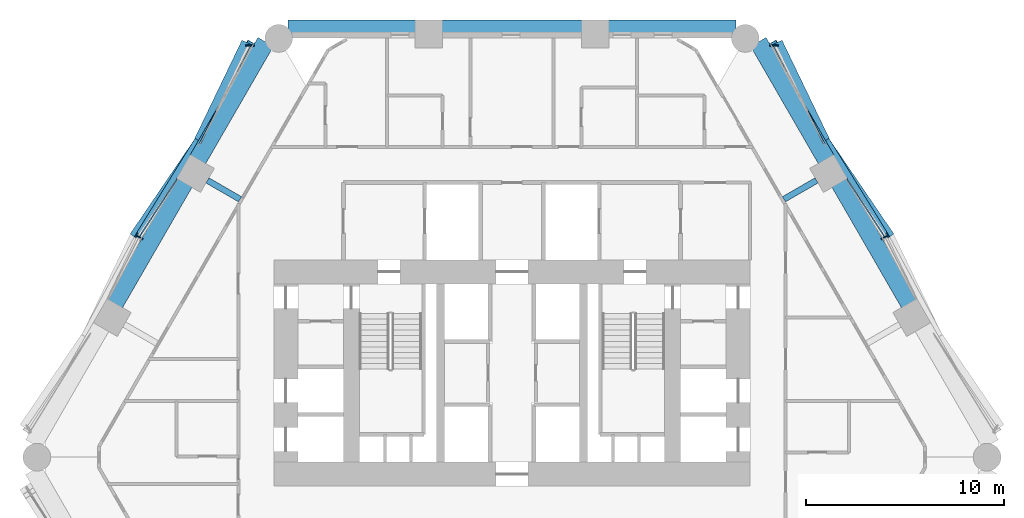
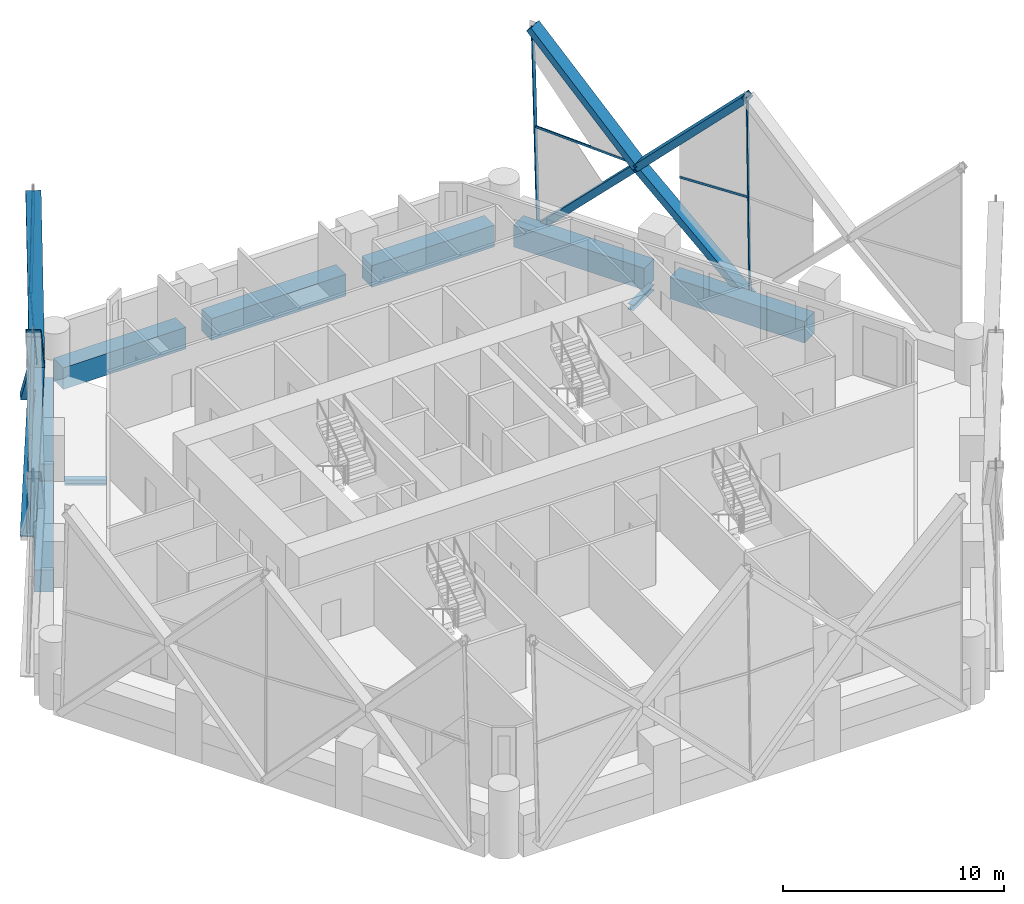
# One storey, part 8 of 22: 20 members, 9 beams, 4 elements without a shape of their own.
"""IFC4 building model written with IfcOpenShell, lengths in metres."""

from ifc_helpers import new_model, si_unit, direction, frame, origin, origin_2d, place, context, subcontext, project, spatial, rectangle, hollow_rectangle, i_section, extrude, material, material_profile, profile_set, type_object, element, aggregate, save


model = new_model("IFC4")

# Units and contexts
model_context = context("Model", 3, precision=1e-05, world=origin(), true_north=direction((0.0, 1.0)))
body_context = subcontext(model_context, "Body", "Model", "MODEL_VIEW")
ifc_project = project(units=[si_unit("LENGTHUNIT", "METRE"), si_unit("AREAUNIT", "SQUARE_METRE"), si_unit("VOLUMEUNIT", "CUBIC_METRE"), si_unit("PLANEANGLEUNIT", "RADIAN"), si_unit("MASSUNIT", "GRAM", prefix="KILO")], contexts=[model_context])

# Site, building, storey
site_placement = place(None, origin())
site = spatial("IfcSite", under=ifc_project, at=site_placement, CompositionType="ELEMENT")
building_placement = place(site_placement, origin())
building = spatial("IfcBuilding", under=site, at=building_placement, Name="Ostrander Bayou Hotel Tower", CompositionType="ELEMENT")
storey_placement = place(building_placement, frame((0.0, 0.0, 46.75)))
storey = spatial("IfcBuildingStorey", under=building, at=storey_placement, Name="L11", CompositionType="ELEMENT", Elevation=46.75)

# Curtain wall, members
ifc_material_1 = material(Name="Aluminium and clear glass", Category="aluminium")
curtain_wall_type = type_object("IfcCurtainWallType", Name="CW-LAT lattice glazing", PredefinedType="NOTDEFINED", material=ifc_material_1)
curtain_wall_1_placement = place(storey_placement, origin())
curtain_wall_1 = element("IfcCurtainWall", 1, at=curtain_wall_1_placement, inside=storey, type_object=curtain_wall_type, Name="CW-LAT L11 NW 1", PredefinedType="NOTDEFINED")
ifc_material_2 = material(Name="Aluminium", Category="aluminium")
ifc_material_profile_1 = material_profile(ifc_material_2, hollow_rectangle(XDim=0.06005859375, YDim=0.159912109375, WallThickness=0.00390625, at=origin_2d()))
ifc_profile_set_1 = profile_set([ifc_material_profile_1], Name="Aluminium")
member_type_1 = type_object("IfcMemberType", Name="CW-LA mullion 60 x 160 mm", PredefinedType="MULLION", material=ifc_profile_set_1)
member_1_placement = place(storey_placement, frame((-13.3544921875, 20.5185546875, -0.60009765625), z_axis=(0.025208999989, 0.0, 0.999682202662), x_axis=(0.0, 1.0, 0.0)))
member_1 = element("IfcMember", 2, at=member_1_placement, type_object=member_type_1, Name="CW-LAT mullion 1", PredefinedType="MULLION", context=body_context, shape_type="SweptSolid", body=[
    extrude(hollow_rectangle(XDim=0.06005859375, YDim=0.159912109375, WallThickness=0.00390625, at=origin_2d()), origin(), (0.0, 0.0, 1.0), 5.626708984375),
])
member_2_placement = place(storey_placement, frame((-13.212646484375, 20.5185546875, 5.02490234375), z_axis=(0.025165638507, 0.0, 0.999683295168), x_axis=(0.0, 1.0, 0.0)))
member_2 = element("IfcMember", 3, at=member_2_placement, type_object=member_type_1, Name="CW-LAT mullion 2", PredefinedType="MULLION", context=body_context, shape_type="SweptSolid", body=[
    extrude(hollow_rectangle(XDim=0.06005859375, YDim=0.159912109375, WallThickness=0.00390625, at=origin_2d()), origin(), (0.0, 0.0, 1.0), 5.626708984375),
])
member_3_placement = place(storey_placement, frame((-18.900634765625, 10.912353515625, -0.60009765625), z_axis=(0.018919092523, -0.010934888339, 0.99976121957), x_axis=(0.500409926597, 0.865788603161, 0.0)))
member_3 = element("IfcMember", 4, at=member_3_placement, type_object=member_type_1, Name="CW-LAT mullion 4", PredefinedType="MULLION", context=body_context, shape_type="SweptSolid", body=[
    extrude(hollow_rectangle(XDim=0.06005859375, YDim=0.159912109375, WallThickness=0.00390625, at=origin_2d()), origin(), (0.0, 0.0, 1.0), 5.62646484375),
])
member_4_placement = place(storey_placement, frame((-18.794189453125, 10.850830078125, 5.02490234375), z_axis=(0.018875724526, -0.010891510014, 0.999762512817), x_axis=(0.499779910804, 0.866152435058, 0.0)))
member_4 = element("IfcMember", 5, at=member_4_placement, type_object=member_type_1, Name="CW-LAT mullion 5", PredefinedType="MULLION", context=body_context, shape_type="SweptSolid", body=[
    extrude(hollow_rectangle(XDim=0.06005859375, YDim=0.159912109375, WallThickness=0.00390625, at=origin_2d()), origin(), (0.0, 0.0, 1.0), 5.626220703125),
])
aggregate(curtain_wall_1, [member_1, member_2, member_3, member_4])

curtain_wall_2_placement = place(storey_placement, origin())
curtain_wall_2 = element("IfcCurtainWall", 6, at=curtain_wall_2_placement, inside=storey, type_object=curtain_wall_type, Name="CW-LAT L11 NE 1", PredefinedType="NOTDEFINED")
member_5_placement = place(storey_placement, frame((18.900634765625, 10.912353515625, -0.60009765625), z_axis=(-0.018919092523, -0.010934888339, 0.99976121957), x_axis=(0.500409926597, -0.865788603161, 0.0)))
member_5 = element("IfcMember", 7, at=member_5_placement, type_object=member_type_1, Name="CW-LAT mullion 4", PredefinedType="MULLION", context=body_context, shape_type="SweptSolid", body=[
    extrude(hollow_rectangle(XDim=0.06005859375, YDim=0.159912109375, WallThickness=0.00390625, at=origin_2d()), origin(), (0.0, 0.0, 1.0), 5.62646484375),
])
member_6_placement = place(storey_placement, frame((18.794189453125, 10.850830078125, 5.02490234375), z_axis=(-0.018875724526, -0.010891510014, 0.999762512817), x_axis=(0.499779910804, -0.866152435058, 0.0)))
member_6 = element("IfcMember", 8, at=member_6_placement, type_object=member_type_1, Name="CW-LAT mullion 5", PredefinedType="MULLION", context=body_context, shape_type="SweptSolid", body=[
    extrude(hollow_rectangle(XDim=0.06005859375, YDim=0.159912109375, WallThickness=0.00390625, at=origin_2d()), origin(), (0.0, 0.0, 1.0), 5.626220703125),
])
member_7_placement = place(storey_placement, frame((13.3544921875, 20.5185546875, -0.60009765625), z_axis=(-0.025208999989, 0.0, 0.999682202662), x_axis=(0.0, -1.0, 0.0)))
member_7 = element("IfcMember", 9, at=member_7_placement, type_object=member_type_1, Name="CW-LAT mullion 8", PredefinedType="MULLION", context=body_context, shape_type="SweptSolid", body=[
    extrude(hollow_rectangle(XDim=0.06005859375, YDim=0.159912109375, WallThickness=0.00390625, at=origin_2d()), origin(), (0.0, 0.0, 1.0), 5.626708984375),
])
member_8_placement = place(storey_placement, frame((13.212646484375, 20.5185546875, 5.02490234375), z_axis=(-0.025165638507, 0.0, 0.999683295168), x_axis=(0.0, -1.0, 0.0)))
member_8 = element("IfcMember", 10, at=member_8_placement, type_object=member_type_1, Name="CW-LAT mullion 9", PredefinedType="MULLION", context=body_context, shape_type="SweptSolid", body=[
    extrude(hollow_rectangle(XDim=0.06005859375, YDim=0.159912109375, WallThickness=0.00390625, at=origin_2d()), origin(), (0.0, 0.0, 1.0), 5.626708984375),
])
aggregate(curtain_wall_2, [member_5, member_6, member_7, member_8])

curtain_wall_3_placement = place(storey_placement, origin())
curtain_wall_3 = element("IfcCurtainWall", 11, at=curtain_wall_3_placement, inside=storey, type_object=curtain_wall_type, Name="CW-LAT L11 NW 2", PredefinedType="NOTDEFINED")
ifc_material_3 = material(Name="Aluminium", Category="aluminium")
ifc_material_profile_2 = material_profile(ifc_material_3, hollow_rectangle(XDim=0.06005859375, YDim=0.1201171875, WallThickness=0.00390625, at=origin_2d()))
ifc_profile_set_2 = profile_set([ifc_material_profile_2], Name="Aluminium")
member_type_2 = type_object("IfcMemberType", Name="CW-LA transom 60 x 120 mm", PredefinedType="USERDEFINED", material=ifc_profile_set_2)
member_9_placement = place(storey_placement, frame((-13.212646484375, 20.5185546875, 5.02490234375), z_axis=(-0.454275818973, -0.890861089226, 0.0), x_axis=(0.890861089226, -0.454275818973, 0.0)))
member_9 = element("IfcMember", 12, at=member_9_placement, type_object=member_type_2, Name="CW-LAT transom 3", ObjectType="TRANSOM", PredefinedType="USERDEFINED", context=body_context, shape_type="SweptSolid", body=[
    extrude(hollow_rectangle(XDim=0.06005859375, YDim=0.1201171875, WallThickness=0.00390625, at=origin_2d()), origin(), (0.0, 0.0, 1.0), 5.58935546875),
])
member_10_placement = place(storey_placement, frame((-18.794189453125, 10.850830078125, 5.02490234375), z_axis=(0.544323783397, 0.838875210522, 0.0), x_axis=(-0.838875210522, 0.544323783397, 0.0)))
member_10 = element("IfcMember", 13, at=member_10_placement, type_object=member_type_2, Name="CW-LAT transom 6", ObjectType="TRANSOM", PredefinedType="USERDEFINED", context=body_context, shape_type="SweptSolid", body=[
    extrude(hollow_rectangle(XDim=0.06005859375, YDim=0.1201171875, WallThickness=0.00390625, at=origin_2d()), origin(), (0.0, 0.0, 1.0), 3.500244140625),
])
aggregate(curtain_wall_3, [member_9, member_10])

curtain_wall_4_placement = place(storey_placement, origin())
curtain_wall_4 = element("IfcCurtainWall", 14, at=curtain_wall_4_placement, inside=storey, type_object=curtain_wall_type, Name="CW-LAT L11 NE 2", PredefinedType="NOTDEFINED")
member_11_placement = place(storey_placement, frame((18.794189453125, 10.850830078125, 5.02490234375), z_axis=(-0.544323783397, 0.838875210522, 0.0), x_axis=(-0.838875210522, -0.544323783397, 0.0)))
member_11 = element("IfcMember", 15, at=member_11_placement, type_object=member_type_2, Name="CW-LAT transom 7", ObjectType="TRANSOM", PredefinedType="USERDEFINED", context=body_context, shape_type="SweptSolid", body=[
    extrude(hollow_rectangle(XDim=0.06005859375, YDim=0.1201171875, WallThickness=0.00390625, at=origin_2d()), origin(), (0.0, 0.0, 1.0), 3.500244140625),
])
member_12_placement = place(storey_placement, frame((13.212646484375, 20.5185546875, 5.02490234375), z_axis=(0.454275818973, -0.890861089226, 0.0), x_axis=(0.890861089226, 0.454275818973, 0.0)))
member_12 = element("IfcMember", 16, at=member_12_placement, type_object=member_type_2, Name="CW-LAT transom 10", ObjectType="TRANSOM", PredefinedType="USERDEFINED", context=body_context, shape_type="SweptSolid", body=[
    extrude(hollow_rectangle(XDim=0.06005859375, YDim=0.1201171875, WallThickness=0.00390625, at=origin_2d()), origin(), (0.0, 0.0, 1.0), 5.58935546875),
])
aggregate(curtain_wall_4, [member_11, member_12])

# Beams
ifc_material_4 = material(Name="Steel ASTM A992", Category="steel")
ifc_material_profile_3 = material_profile(ifc_material_4, i_section(OverallWidth=0.3046875, OverallDepth=0.307861328125, WebThickness=0.010009765625, FlangeThickness=0.015380859375, at=origin_2d()))
ifc_profile_set_3 = profile_set([ifc_material_profile_3], Name="Steel ASTM A992")
beam_type_1 = type_object("IfcBeamType", Name="LB1 loggia bracket W12x65", PredefinedType="BEAM", material=ifc_profile_set_3)
for number, where, z_axis, x_axis, name in (
    (17, (-15.356689453125, 13.710693359375, -0.453857421875), (0.865988727248, -0.500063520245, 0.0), (0.500063520245, 0.865988727248, 0.0), "LB1 L11 NW1"),
    (18, (15.356689453125, 13.710693359375, -0.453857421875), (-0.865988727248, -0.500063520245, 0.0), (0.500063520245, -0.865988727248, 0.0), "LB1 L11 NE2"),
):
    element("IfcBeam", number, at=place(storey_placement, frame(where, z_axis=z_axis, x_axis=x_axis)), inside=storey, type_object=beam_type_1, Name=name, PredefinedType="BEAM", context=body_context, shape_type="SweptSolid", body=[
        extrude(i_section(OverallWidth=0.3046875, OverallDepth=0.307861328125, WebThickness=0.010009765625, FlangeThickness=0.015380859375, at=origin_2d()), origin(), (0.0, 0.0, 1.0), 1.900146484375),
    ])

# Members
ifc_material_5 = material(Name="Steel ASTM A572 Gr 50", Category="steel")
ifc_material_profile_4 = material_profile(ifc_material_5, hollow_rectangle(XDim=0.699951171875, YDim=0.35009765625, WallThickness=0.02490234375, at=origin_2d()))
ifc_profile_set_4 = profile_set([ifc_material_profile_4], Name="Steel ASTM A572 Gr 50")
member_type_3 = type_object("IfcMemberType", Name="LT1 lattice member box 700 x 350 x 25 mm", PredefinedType="BRACE", material=ifc_profile_set_4)
member_13_placement = place(storey_placement, frame((-15.751708984375, 15.539306640625, 5.02490234375), z_axis=(0.304005407676, 0.631448242138, -0.713339911687), x_axis=(-0.901015739423, 0.43378639595, 0.0)))
element("IfcMember", 19, at=member_13_placement, inside=storey, type_object=member_type_3, Name="LT1 L11 NW 1", PredefinedType="BRACE", context=body_context, shape_type="SweptSolid", body=[
    extrude(hollow_rectangle(XDim=0.699951171875, YDim=0.35009765625, WallThickness=0.02490234375, at=origin_2d()), origin(), (0.0, 0.0, 1.0), 7.885498046875),
])
member_14_placement = place(storey_placement, frame((-15.751708984375, 15.539306640625, 5.02490234375), z_axis=(0.33608356882, 0.624264516036, 0.705224537851), x_axis=(-0.880505754496, 0.474035458905, 0.0)))
element("IfcMember", 20, at=member_14_placement, inside=storey, type_object=member_type_3, Name="LT1 L11 NW 2", PredefinedType="BRACE", context=body_context, shape_type="SweptSolid", body=[
    extrude(hollow_rectangle(XDim=0.699951171875, YDim=0.35009765625, WallThickness=0.02490234375, at=origin_2d()), origin(), (0.0, 0.0, 1.0), 7.97607421875),
])
member_15_placement = place(storey_placement, frame((-15.751708984375, 15.539306640625, 5.02490234375), z_axis=(-0.396837436274, -0.583103046384, -0.70888002262), x_axis=(0.826710625565, -0.562627355875, 0.0)))
element("IfcMember", 21, at=member_15_placement, inside=storey, type_object=member_type_3, Name="LT1 L11 NW 3", PredefinedType="BRACE", context=body_context, shape_type="SweptSolid", body=[
    extrude(hollow_rectangle(XDim=0.699951171875, YDim=0.35009765625, WallThickness=0.02490234375, at=origin_2d()), origin(), (0.0, 0.0, 1.0), 7.93505859375),
])
member_16_placement = place(storey_placement, frame((-15.751708984375, 15.539306640625, 5.02490234375), z_axis=(-0.370458540077, -0.599257578547, 0.709683608827), x_axis=(0.850589236415, -0.525830724563, 0.0)))
element("IfcMember", 22, at=member_16_placement, inside=storey, type_object=member_type_3, Name="LT1 L11 NW 4", PredefinedType="BRACE", context=body_context, shape_type="SweptSolid", body=[
    extrude(hollow_rectangle(XDim=0.699951171875, YDim=0.35009765625, WallThickness=0.02490234375, at=origin_2d()), origin(), (0.0, 0.0, 1.0), 7.926025390625),
])
member_17_placement = place(storey_placement, frame((15.751708984375, 15.539306640625, 5.02490234375), z_axis=(0.396837436274, -0.583103046384, -0.70888002262), x_axis=(0.826710625565, 0.562627355875, 0.0)))
element("IfcMember", 23, at=member_17_placement, inside=storey, type_object=member_type_3, Name="LT1 L11 NE 5", PredefinedType="BRACE", context=body_context, shape_type="SweptSolid", body=[
    extrude(hollow_rectangle(XDim=0.699951171875, YDim=0.35009765625, WallThickness=0.02490234375, at=origin_2d()), origin(), (0.0, 0.0, 1.0), 7.93505859375),
])
member_18_placement = place(storey_placement, frame((15.751708984375, 15.539306640625, 5.02490234375), z_axis=(0.370458540077, -0.599257578547, 0.709683608827), x_axis=(0.850589236415, 0.525830724563, 0.0)))
element("IfcMember", 24, at=member_18_placement, inside=storey, type_object=member_type_3, Name="LT1 L11 NE 6", PredefinedType="BRACE", context=body_context, shape_type="SweptSolid", body=[
    extrude(hollow_rectangle(XDim=0.699951171875, YDim=0.35009765625, WallThickness=0.02490234375, at=origin_2d()), origin(), (0.0, 0.0, 1.0), 7.926025390625),
])
member_19_placement = place(storey_placement, frame((15.751708984375, 15.539306640625, 5.02490234375), z_axis=(-0.304005407676, 0.631448242138, -0.713339911687), x_axis=(-0.901015739423, -0.43378639595, 0.0)))
element("IfcMember", 25, at=member_19_placement, inside=storey, type_object=member_type_3, Name="LT1 L11 NE 7", PredefinedType="BRACE", context=body_context, shape_type="SweptSolid", body=[
    extrude(hollow_rectangle(XDim=0.699951171875, YDim=0.35009765625, WallThickness=0.02490234375, at=origin_2d()), origin(), (0.0, 0.0, 1.0), 7.885498046875),
])
member_20_placement = place(storey_placement, frame((15.751708984375, 15.539306640625, 5.02490234375), z_axis=(-0.33608356882, 0.624264516036, 0.705224537851), x_axis=(-0.880505754496, -0.474035458905, 0.0)))
element("IfcMember", 26, at=member_20_placement, inside=storey, type_object=member_type_3, Name="LT1 L11 NE 8", PredefinedType="BRACE", context=body_context, shape_type="SweptSolid", body=[
    extrude(hollow_rectangle(XDim=0.699951171875, YDim=0.35009765625, WallThickness=0.02490234375, at=origin_2d()), origin(), (0.0, 0.0, 1.0), 7.97607421875),
])

# Beams
ifc_material_6 = material(Name="Concrete f'c 70 MPa", Category="concrete")
ifc_material_profile_5 = material_profile(ifc_material_6, rectangle(XDim=0.89990234375, YDim=1.199951171875, at=origin_2d()))
ifc_profile_set_5 = profile_set([ifc_material_profile_5], Name="Concrete f'c 70 MPa")
beam_type_2 = type_object("IfcBeamType", Name="SP1 spandrel beam 900 x 1200 mm f'c 70 MPa", PredefinedType="SPANDREL", material=ifc_profile_set_5)
beam_1_placement = place(storey_placement, frame((11.285400390625, 21.35009765625, -0.60009765625), z_axis=(-1.0, 0.0, 0.0), x_axis=(0.0, -1.0, 0.0)))
element("IfcBeam", 27, at=beam_1_placement, inside=storey, type_object=beam_type_2, Name="SP1 L11 N-1", PredefinedType="SPANDREL", context=body_context, shape_type="SweptSolid", body=[
    extrude(rectangle(XDim=0.89990234375, YDim=1.199951171875, at=origin_2d()), origin(), (0.0, 0.0, 1.0), 6.419921875),
])
beam_2_placement = place(storey_placement, frame((3.525390625, 21.35009765625, -0.60009765625), z_axis=(-1.0, 0.0, 0.0), x_axis=(0.0, -1.0, 0.0)))
element("IfcBeam", 28, at=beam_2_placement, inside=storey, type_object=beam_type_2, Name="SP1 L11 N-2", PredefinedType="SPANDREL", context=body_context, shape_type="SweptSolid", body=[
    extrude(rectangle(XDim=0.89990234375, YDim=1.199951171875, at=origin_2d()), origin(), (0.0, 0.0, 1.0), 7.05078125),
])
beam_3_placement = place(storey_placement, frame((-4.865478515625, 21.35009765625, -0.60009765625), z_axis=(-1.0, 0.0, 0.0), x_axis=(0.0, -1.0, 0.0)))
element("IfcBeam", 29, at=beam_3_placement, inside=storey, type_object=beam_type_2, Name="SP1 L11 N-3", PredefinedType="SPANDREL", context=body_context, shape_type="SweptSolid", body=[
    extrude(rectangle(XDim=0.89990234375, YDim=1.199951171875, at=origin_2d()), origin(), (0.0, 0.0, 1.0), 6.419921875),
])
beam_4_placement = place(storey_placement, frame((-12.421630859375, 20.694091796875, -0.60009765625), z_axis=(-0.499994135611, -0.866028789565, 0.0), x_axis=(0.866028789565, -0.499994135611, 0.0)))
element("IfcBeam", 30, at=beam_4_placement, inside=storey, type_object=beam_type_2, Name="SP1 L11 NW-1", PredefinedType="SPANDREL", context=body_context, shape_type="SweptSolid", body=[
    extrude(rectangle(XDim=0.89990234375, YDim=1.199951171875, at=origin_2d()), origin(), (0.0, 0.0, 1.0), 6.84521484375),
])
for number, where, z_axis, x_axis, name in (
    (31, (-16.514404296875, 13.60546875, -0.60009765625), (-0.499997206141, -0.866027016814, 0.0), (0.866027016814, -0.499997206141, 0.0), "SP1 L11 NW-2"),
    (32, (20.039794921875, 7.499267578125, -0.60009765625), (-0.499997206141, 0.866027016814, 0.0), (-0.866027016814, -0.499997206141, 0.0), "SP1 L11 NE-2"),
):
    element("IfcBeam", number, at=place(storey_placement, frame(where, z_axis=z_axis, x_axis=x_axis)), inside=storey, type_object=beam_type_2, Name=name, PredefinedType="SPANDREL", context=body_context, shape_type="SweptSolid", body=[
        extrude(rectangle(XDim=0.89990234375, YDim=1.199951171875, at=origin_2d()), origin(), (0.0, 0.0, 1.0), 7.05078125),
    ])
beam_5_placement = place(storey_placement, frame((15.84423828125, 14.765869140625, -0.60009765625), z_axis=(-0.499994135611, 0.866028789565, 0.0), x_axis=(-0.866028789565, -0.499994135611, 0.0)))
element("IfcBeam", 33, at=beam_5_placement, inside=storey, type_object=beam_type_2, Name="SP1 L11 NE-3", PredefinedType="SPANDREL", context=body_context, shape_type="SweptSolid", body=[
    extrude(rectangle(XDim=0.89990234375, YDim=1.199951171875, at=origin_2d()), origin(), (0.0, 0.0, 1.0), 6.84521484375),
])

save(model, "model.ifc")
